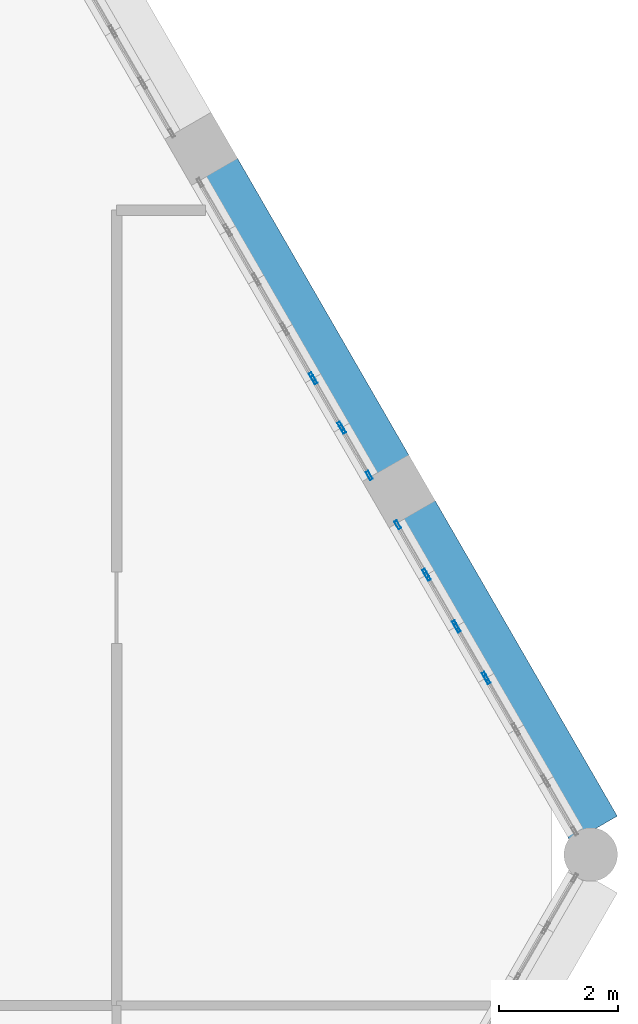
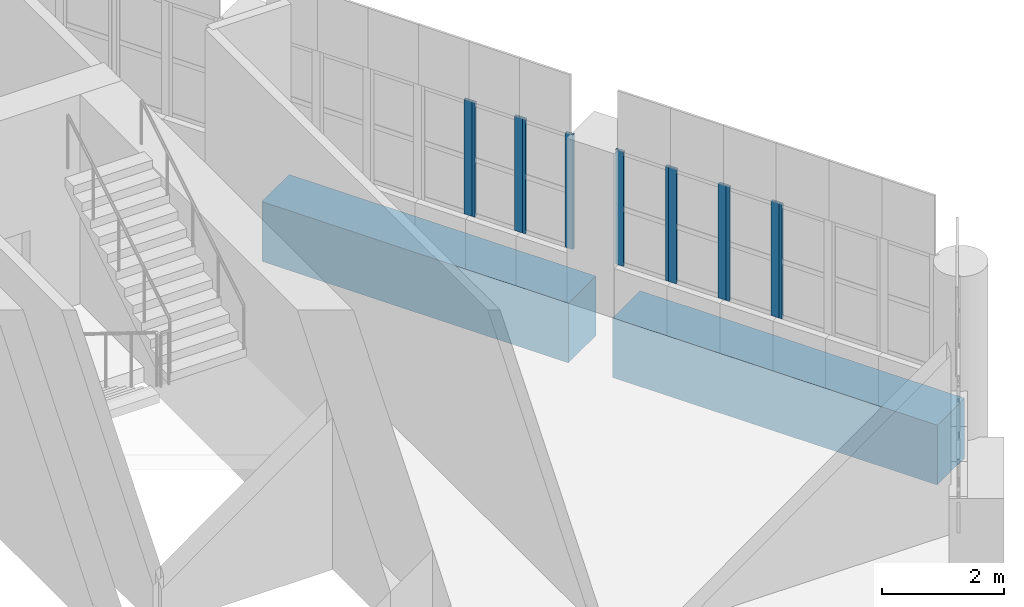
# One storey, part 12 of 23: 12 members, 2 beams, 7 elements without a shape of their own.
"""IFC4 building model written with IfcOpenShell, lengths in metres."""

from ifc_helpers import new_model, si_unit, direction, frame, origin, origin_2d, place, context, subcontext, project, spatial, rectangle, hollow_rectangle, extrude, material, material_profile, profile_set, type_object, element, aggregate, save


model = new_model("IFC4")

# Units and contexts
model_context = context("Model", 3, precision=1e-05, world=origin(), true_north=direction((0.0, 1.0)))
body_context = subcontext(model_context, "Body", "Model", "MODEL_VIEW")
ifc_project = project(units=[si_unit("LENGTHUNIT", "METRE"), si_unit("AREAUNIT", "SQUARE_METRE"), si_unit("VOLUMEUNIT", "CUBIC_METRE"), si_unit("PLANEANGLEUNIT", "RADIAN"), si_unit("MASSUNIT", "GRAM", prefix="KILO")], contexts=[model_context])

# Site, building, storey
site_placement = place(None, origin())
site = spatial("IfcSite", under=ifc_project, at=site_placement, CompositionType="ELEMENT")
building_placement = place(site_placement, origin())
building = spatial("IfcBuilding", under=site, at=building_placement, Name="Ostrander Bayou Hotel Tower", CompositionType="ELEMENT")
storey_placement = place(building_placement, frame((0.0, 0.0, 279.5)))
storey = spatial("IfcBuildingStorey", under=building, at=storey_placement, Name="L69", CompositionType="ELEMENT", Elevation=279.5)

# Curtain wall, member
ifc_material_1 = material(Name="Aluminium and clear glass", Category="aluminium")
curtain_wall_type = type_object("IfcCurtainWallType", Name="CW-CROWN glazed wall", PredefinedType="NOTDEFINED", material=ifc_material_1)
curtain_wall_1_placement = place(storey_placement, origin())
curtain_wall_1 = element("IfcCurtainWall", 1, at=curtain_wall_1_placement, inside=storey, type_object=curtain_wall_type, Name="CW-CROWN L69:NE-1-3", PredefinedType="NOTDEFINED")
ifc_material_2 = material(Name="Aluminium", Category="aluminium")
ifc_material_profile_1 = material_profile(ifc_material_2, hollow_rectangle(XDim=0.050048828125, YDim=0.14990234375, WallThickness=0.00390625, at=origin_2d()))
ifc_profile_set_1 = profile_set([ifc_material_profile_1], Name="Aluminium")
member_type = type_object("IfcMemberType", Name="CW-CR mullion 50 x 150 mm", PredefinedType="MULLION", material=ifc_profile_set_1)
member_1_placement = place(storey_placement, frame((16.740478515625, 1.791748046875, 1.0), z_axis=(0.0, 0.0, 1.0), x_axis=(-0.866044474681, -0.499966966783, 0.0)))
member_1 = element("IfcMember", 2, at=member_1_placement, type_object=member_type, Name="CW-CROWN mullion 2", PredefinedType="MULLION", context=body_context, shape_type="SweptSolid", body=[
    extrude(hollow_rectangle(XDim=0.050048828125, YDim=0.14990234375, WallThickness=0.00390625, at=origin_2d()), origin(), (0.0, 0.0, 1.0), 2.300048828125),
])
aggregate(curtain_wall_1, [member_1])

# Curtain wall, members
curtain_wall_2_placement = place(storey_placement, origin())
curtain_wall_2 = element("IfcCurtainWall", 3, at=curtain_wall_2_placement, inside=storey, type_object=curtain_wall_type, Name="CW-CROWN L69:NE-1-4", PredefinedType="NOTDEFINED")
member_2_placement = place(storey_placement, frame((16.71044921875, 1.84375, 1.0), z_axis=(0.0, 0.0, 1.0), x_axis=(-0.866019551165, -0.500010136897, 0.0)))
member_2 = element("IfcMember", 4, at=member_2_placement, type_object=member_type, Name="CW-CROWN mullion 1", PredefinedType="MULLION", context=body_context, shape_type="SweptSolid", body=[
    extrude(hollow_rectangle(XDim=0.050048828125, YDim=0.14990234375, WallThickness=0.00390625, at=origin_2d()), origin(), (0.0, 0.0, 1.0), 2.300048828125),
])
member_3_placement = place(storey_placement, frame((16.239013671875, 2.660400390625, 1.0), z_axis=(0.0, 0.0, 1.0), x_axis=(-0.866019551165, -0.500010136897, 0.0)))
member_3 = element("IfcMember", 5, at=member_3_placement, type_object=member_type, Name="CW-CROWN mullion 2", PredefinedType="MULLION", context=body_context, shape_type="SweptSolid", body=[
    extrude(hollow_rectangle(XDim=0.050048828125, YDim=0.14990234375, WallThickness=0.00390625, at=origin_2d()), origin(), (0.0, 0.0, 1.0), 2.300048828125),
])
aggregate(curtain_wall_2, [member_2, member_3])

curtain_wall_3_placement = place(storey_placement, origin())
curtain_wall_3 = element("IfcCurtainWall", 6, at=curtain_wall_3_placement, inside=storey, type_object=curtain_wall_type, Name="CW-CROWN L69:NE-1-5", PredefinedType="NOTDEFINED")
member_4_placement = place(storey_placement, frame((16.208984375, 2.712158203125, 1.0), z_axis=(0.0, 0.0, 1.0), x_axis=(-0.866001306597, -0.50004173523, 0.0)))
member_4 = element("IfcMember", 7, at=member_4_placement, type_object=member_type, Name="CW-CROWN mullion 1", PredefinedType="MULLION", context=body_context, shape_type="SweptSolid", body=[
    extrude(hollow_rectangle(XDim=0.050048828125, YDim=0.14990234375, WallThickness=0.00390625, at=origin_2d()), origin(), (0.0, 0.0, 1.0), 2.300048828125),
])
member_5_placement = place(storey_placement, frame((15.7373046875, 3.529052734375, 1.0), z_axis=(0.0, 0.0, 1.0), x_axis=(-0.866001306597, -0.50004173523, 0.0)))
member_5 = element("IfcMember", 8, at=member_5_placement, type_object=member_type, Name="CW-CROWN mullion 2", PredefinedType="MULLION", context=body_context, shape_type="SweptSolid", body=[
    extrude(hollow_rectangle(XDim=0.050048828125, YDim=0.14990234375, WallThickness=0.00390625, at=origin_2d()), origin(), (0.0, 0.0, 1.0), 2.300048828125),
])
aggregate(curtain_wall_3, [member_4, member_5])

curtain_wall_4_placement = place(storey_placement, origin())
curtain_wall_4 = element("IfcCurtainWall", 9, at=curtain_wall_4_placement, inside=storey, type_object=curtain_wall_type, Name="CW-CROWN L69:NE-1-6", PredefinedType="NOTDEFINED")
member_6_placement = place(storey_placement, frame((15.70751953125, 3.5810546875, 1.0), z_axis=(0.0, 0.0, 1.0), x_axis=(-0.866044474681, -0.499966966783, 0.0)))
member_6 = element("IfcMember", 10, at=member_6_placement, type_object=member_type, Name="CW-CROWN mullion 1", PredefinedType="MULLION", context=body_context, shape_type="SweptSolid", body=[
    extrude(hollow_rectangle(XDim=0.050048828125, YDim=0.14990234375, WallThickness=0.00390625, at=origin_2d()), origin(), (0.0, 0.0, 1.0), 2.300048828125),
])
member_7_placement = place(storey_placement, frame((15.23583984375, 4.397705078125, 1.0), z_axis=(0.0, 0.0, 1.0), x_axis=(-0.866044474681, -0.499966966783, 0.0)))
member_7 = element("IfcMember", 11, at=member_7_placement, type_object=member_type, Name="CW-CROWN mullion 2", PredefinedType="MULLION", context=body_context, shape_type="SweptSolid", body=[
    extrude(hollow_rectangle(XDim=0.050048828125, YDim=0.14990234375, WallThickness=0.00390625, at=origin_2d()), origin(), (0.0, 0.0, 1.0), 2.300048828125),
])
aggregate(curtain_wall_4, [member_6, member_7])

curtain_wall_5_placement = place(storey_placement, origin())
curtain_wall_5 = element("IfcCurtainWall", 12, at=curtain_wall_5_placement, inside=storey, type_object=curtain_wall_type, Name="CW-CROWN L69:NE-2-1", PredefinedType="NOTDEFINED")
member_8_placement = place(storey_placement, frame((14.755859375, 5.22900390625, 1.0), z_axis=(0.0, 0.0, 1.0), x_axis=(-0.866022491007, -0.500005045044, 0.0)))
member_8 = element("IfcMember", 13, at=member_8_placement, type_object=member_type, Name="CW-CROWN mullion 1", PredefinedType="MULLION", context=body_context, shape_type="SweptSolid", body=[
    extrude(hollow_rectangle(XDim=0.050048828125, YDim=0.14990234375, WallThickness=0.00390625, at=origin_2d()), origin(), (0.0, 0.0, 1.0), 2.300048828125),
])
member_9_placement = place(storey_placement, frame((14.305908203125, 6.00830078125, 1.0), z_axis=(0.0, 0.0, 1.0), x_axis=(-0.866022491007, -0.500005045044, 0.0)))
member_9 = element("IfcMember", 14, at=member_9_placement, type_object=member_type, Name="CW-CROWN mullion 2", PredefinedType="MULLION", context=body_context, shape_type="SweptSolid", body=[
    extrude(hollow_rectangle(XDim=0.050048828125, YDim=0.14990234375, WallThickness=0.00390625, at=origin_2d()), origin(), (0.0, 0.0, 1.0), 2.300048828125),
])
aggregate(curtain_wall_5, [member_8, member_9])

curtain_wall_6_placement = place(storey_placement, origin())
curtain_wall_6 = element("IfcCurtainWall", 15, at=curtain_wall_6_placement, inside=storey, type_object=curtain_wall_type, Name="CW-CROWN L69:NE-2-2", PredefinedType="NOTDEFINED")
member_10_placement = place(storey_placement, frame((14.27587890625, 6.060302734375, 1.0), z_axis=(0.0, 0.0, 1.0), x_axis=(-0.866022491007, -0.500005045044, 0.0)))
member_10 = element("IfcMember", 16, at=member_10_placement, type_object=member_type, Name="CW-CROWN mullion 1", PredefinedType="MULLION", context=body_context, shape_type="SweptSolid", body=[
    extrude(hollow_rectangle(XDim=0.050048828125, YDim=0.14990234375, WallThickness=0.00390625, at=origin_2d()), origin(), (0.0, 0.0, 1.0), 2.300048828125),
])
member_11_placement = place(storey_placement, frame((13.826171875, 6.839599609375, 1.0), z_axis=(0.0, 0.0, 1.0), x_axis=(-0.866022491007, -0.500005045044, 0.0)))
member_11 = element("IfcMember", 17, at=member_11_placement, type_object=member_type, Name="CW-CROWN mullion 2", PredefinedType="MULLION", context=body_context, shape_type="SweptSolid", body=[
    extrude(hollow_rectangle(XDim=0.050048828125, YDim=0.14990234375, WallThickness=0.00390625, at=origin_2d()), origin(), (0.0, 0.0, 1.0), 2.300048828125),
])
aggregate(curtain_wall_6, [member_10, member_11])

# Curtain wall, member
curtain_wall_7_placement = place(storey_placement, origin())
curtain_wall_7 = element("IfcCurtainWall", 18, at=curtain_wall_7_placement, inside=storey, type_object=curtain_wall_type, Name="CW-CROWN L69:NE-2-3", PredefinedType="NOTDEFINED")
member_12_placement = place(storey_placement, frame((13.796142578125, 6.8916015625, 1.0), z_axis=(0.0, 0.0, 1.0), x_axis=(-0.866048535364, -0.499959932788, 0.0)))
member_12 = element("IfcMember", 19, at=member_12_placement, type_object=member_type, Name="CW-CROWN mullion 1", PredefinedType="MULLION", context=body_context, shape_type="SweptSolid", body=[
    extrude(hollow_rectangle(XDim=0.050048828125, YDim=0.14990234375, WallThickness=0.00390625, at=origin_2d()), origin(), (0.0, 0.0, 1.0), 2.300048828125),
])
aggregate(curtain_wall_7, [member_12])

# Beams
ifc_material_3 = material(Name="Concrete f'c 60 MPa", Category="concrete")
ifc_material_profile_2 = material_profile(ifc_material_3, rectangle(XDim=0.89990234375, YDim=1.199951171875, at=origin_2d()))
ifc_profile_set_2 = profile_set([ifc_material_profile_2], Name="Concrete f'c 60 MPa")
beam_type = type_object("IfcBeamType", Name="SP4 spandrel beam 900 x 1200 mm f'c 60 MPa", PredefinedType="SPANDREL", material=ifc_profile_set_2)
beam_1_placement = place(storey_placement, frame((18.54541015625, -0.734619140625, -0.60009765625), z_axis=(-0.499984362083, 0.866034432152, 0.0), x_axis=(-0.866034432152, -0.499984362083, 0.0)))
element("IfcBeam", 20, at=beam_1_placement, inside=storey, type_object=beam_type, Name="SP4 L69 NE-1", PredefinedType="SPANDREL", context=body_context, shape_type="SweptSolid", body=[
    extrude(rectangle(XDim=0.89990234375, YDim=1.199951171875, at=origin_2d()), origin(), (0.0, 0.0, 1.0), 6.159423828125),
])
beam_2_placement = place(storey_placement, frame((15.045654296875, 5.3271484375, -0.60009765625), z_axis=(-0.499997265274, 0.866026982673, 0.0), x_axis=(-0.866026982673, -0.499997265274, 0.0)))
element("IfcBeam", 21, at=beam_2_placement, inside=storey, type_object=beam_type, Name="SP4 L69 NE-2", PredefinedType="SPANDREL", context=body_context, shape_type="SweptSolid", body=[
    extrude(rectangle(XDim=0.89990234375, YDim=1.199951171875, at=origin_2d()), origin(), (0.0, 0.0, 1.0), 5.81884765625),
])

save(model, "model.ifc")
